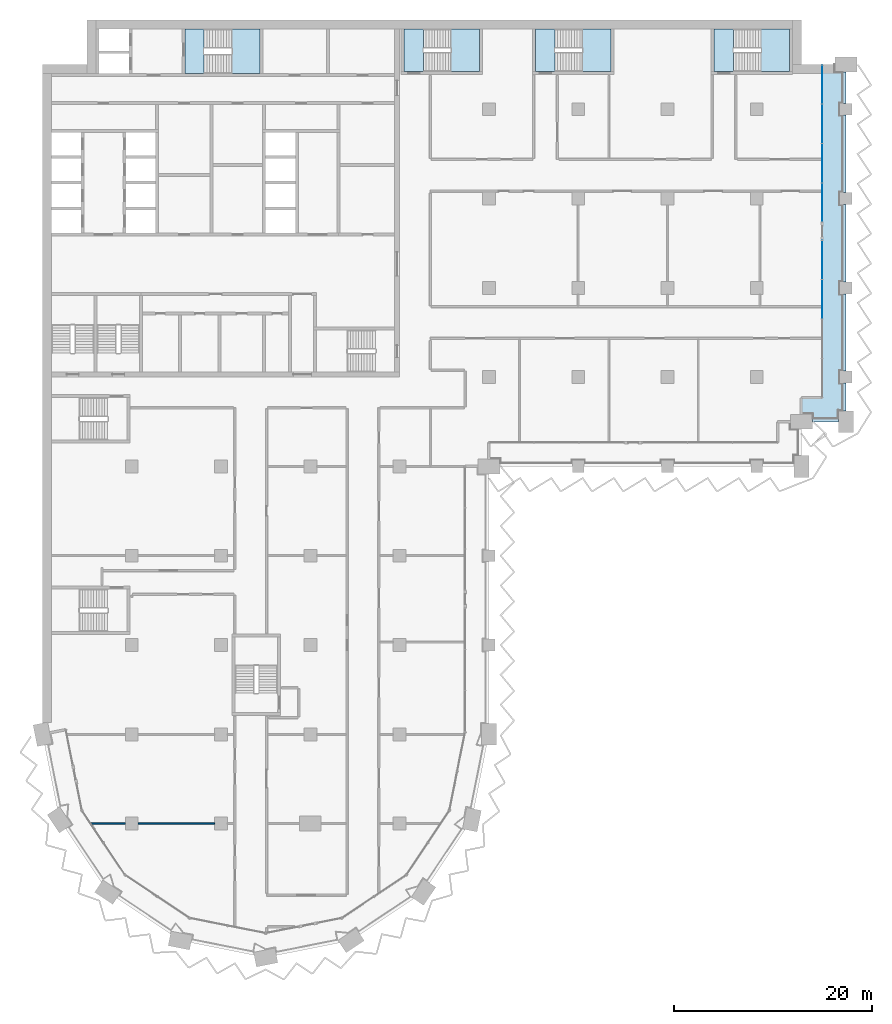
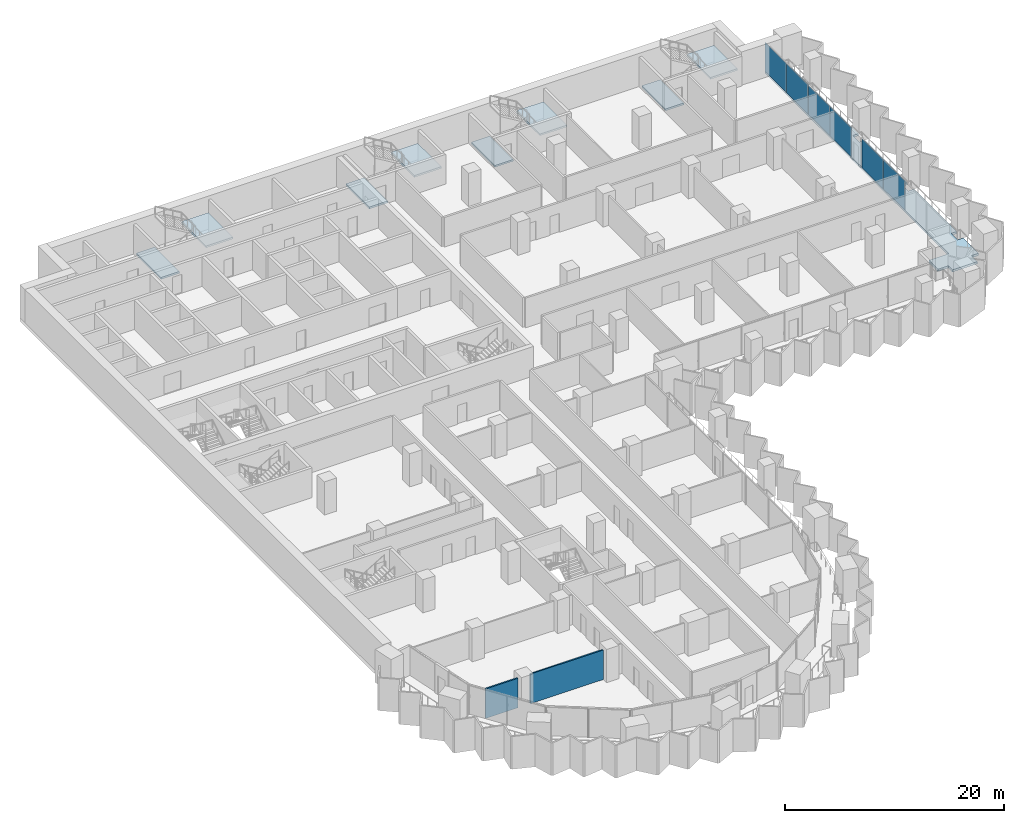
# One storey, part 8 of 22: 9 slabs, 6 plates, 2 walls, 6 elements without a shape of their own.
"""IFC4 building model written with IfcOpenShell, lengths in metres."""

from ifc_helpers import new_model, si_unit, direction, frame, frame_2d, origin, origin_2d, place, context, subcontext, project, spatial, polyline, rectangle, outline, extrude, material, layer, layer_set, type_object, element, aggregate, save


model = new_model("IFC4")

# Units and contexts
model_context = context("Model", 3, precision=1e-05, world=origin(), true_north=direction((0.0, 1.0)))
body_context = subcontext(model_context, "Body", "Model", "MODEL_VIEW")
ifc_project = project(units=[si_unit("LENGTHUNIT", "METRE"), si_unit("AREAUNIT", "SQUARE_METRE"), si_unit("VOLUMEUNIT", "CUBIC_METRE"), si_unit("PLANEANGLEUNIT", "RADIAN"), si_unit("MASSUNIT", "GRAM", prefix="KILO")], contexts=[model_context])

# Site, building, storey
site_placement = place(None, origin())
site = spatial("IfcSite", under=ifc_project, at=site_placement, CompositionType="ELEMENT")
building_placement = place(site_placement, origin())
building = spatial("IfcBuilding", under=site, at=building_placement, Name="Hunhe Ridgeline Campus", CompositionType="ELEMENT")
storey_placement = place(building_placement, frame((0.0, 0.0, 84.800048828125)))
storey = spatial("IfcBuildingStorey", under=building, at=storey_placement, Name="L20", CompositionType="ELEMENT", Elevation=84.800048828125)

# Curtain wall, plates
ifc_material_1 = material(Name="Aluminium 6063", Category="aluminium")
curtain_wall_type = type_object("IfcCurtainWallType", Name="Curtain wall CW-1", PredefinedType="NOTDEFINED", material=ifc_material_1)
curtain_wall_1_placement = place(storey_placement, origin())
curtain_wall_1 = element("IfcCurtainWall", 1, at=curtain_wall_1_placement, inside=storey, type_object=curtain_wall_type, Name="Curtain wall 15", PredefinedType="NOTDEFINED")
ifc_material_2 = material(Name="Low-e laminated glass", Category="glass")
ifc_layer_1 = layer(ifc_material_2, 0.028076171875)
ifc_layer_set_1 = layer_set([ifc_layer_1], Name="Curtain wall glass panel 28 low-e laminated")
plate_type = type_object("IfcPlateType", Name="Curtain wall glass panel 28 low-e laminated", PredefinedType="CURTAIN_PANEL", material=ifc_layer_set_1)
plate_1_placement = place(storey_placement, frame((78.59912109375, 70.838134765625, 0.0), z_axis=(0.0, 0.0, 1.0), x_axis=(0.0, 1.0, 0.0)))
plate_1 = element("IfcPlate", 2, at=plate_1_placement, type_object=plate_type, Name="CW-1 panel 3", PredefinedType="CURTAIN_PANEL", context=body_context, shape_type="SweptSolid", body=[
    extrude(rectangle(XDim=3.914794921875, YDim=0.028076171875, at=origin_2d()), origin(), (0.0, 0.0, 1.0), 3.239990234375),
])
plate_2_placement = place(storey_placement, frame((78.59912109375, 74.798095703125, 0.0), z_axis=(0.0, 0.0, 1.0), x_axis=(0.0, 1.0, 0.0)))
plate_2 = element("IfcPlate", 3, at=plate_2_placement, type_object=plate_type, Name="CW-1 panel 4", PredefinedType="CURTAIN_PANEL", context=body_context, shape_type="SweptSolid", body=[
    extrude(rectangle(XDim=3.884765625, YDim=0.028076171875, at=origin_2d()), origin(), (0.0, 0.0, 1.0), 3.239990234375),
])
aggregate(curtain_wall_1, [plate_1, plate_2])

curtain_wall_2_placement = place(storey_placement, origin())
curtain_wall_2 = element("IfcCurtainWall", 4, at=curtain_wall_2_placement, inside=storey, type_object=curtain_wall_type, Name="Curtain wall 16", PredefinedType="NOTDEFINED")
plate_3_placement = place(storey_placement, frame((78.59912109375, 80.60302734375, 0.0), z_axis=(0.0, 0.0, 1.0), x_axis=(0.0, 1.0, 0.0)))
plate_3 = element("IfcPlate", 5, at=plate_3_placement, type_object=plate_type, Name="CW-1 panel 1", PredefinedType="CURTAIN_PANEL", context=body_context, shape_type="SweptSolid", body=[
    extrude(rectangle(XDim=3.884765625, YDim=0.028076171875, at=origin_2d()), origin(), (0.0, 0.0, 1.0), 3.239990234375),
])
plate_4_placement = place(storey_placement, frame((78.59912109375, 84.562744140625, 0.0), z_axis=(0.0, 0.0, 1.0), x_axis=(0.0, 1.0, 0.0)))
plate_4 = element("IfcPlate", 6, at=plate_4_placement, type_object=plate_type, Name="CW-1 panel 2", PredefinedType="CURTAIN_PANEL", context=body_context, shape_type="SweptSolid", body=[
    extrude(rectangle(XDim=3.914794921875, YDim=0.028076171875, at=origin_2d()), origin(), (0.0, 0.0, 1.0), 3.239990234375),
])
plate_5_placement = place(storey_placement, frame((78.59912109375, 88.53759765625, 0.0), z_axis=(0.0, 0.0, 1.0), x_axis=(0.0, 1.0, 0.0)))
plate_5 = element("IfcPlate", 7, at=plate_5_placement, type_object=plate_type, Name="CW-1 panel 3", PredefinedType="CURTAIN_PANEL", context=body_context, shape_type="SweptSolid", body=[
    extrude(rectangle(XDim=3.914794921875, YDim=0.028076171875, at=origin_2d()), origin(), (0.0, 0.0, 1.0), 3.239990234375),
])
plate_6_placement = place(storey_placement, frame((78.59912109375, 92.49755859375, 0.0), z_axis=(0.0, 0.0, 1.0), x_axis=(0.0, 1.0, 0.0)))
plate_6 = element("IfcPlate", 8, at=plate_6_placement, type_object=plate_type, Name="CW-1 panel 4", PredefinedType="CURTAIN_PANEL", context=body_context, shape_type="SweptSolid", body=[
    extrude(rectangle(XDim=3.884765625, YDim=0.028076171875, at=origin_2d()), origin(), (0.0, 0.0, 1.0), 3.239990234375),
])
aggregate(curtain_wall_2, [plate_3, plate_4, plate_5, plate_6])

# Slab
ifc_material_3 = material(Name="Concrete C40", Category="concrete")
ifc_layer_2 = layer(ifc_material_3, 0.25)
ifc_layer_set_2 = layer_set([ifc_layer_2], Name="Loggia slab 250 Concrete C40")
slab_type_1 = type_object("IfcSlabType", Name="Loggia slab 250 Concrete C40", PredefinedType="FLOOR", material=ifc_layer_set_2)
slab_1_placement = place(storey_placement, frame((0.0, 0.0, -0.25)))
element("IfcSlab", 9, at=slab_1_placement, inside=storey, type_object=slab_type_1, Name="Loggia slab 3", PredefinedType="FLOOR", context=body_context, shape_type="SweptSolid", body=[
    extrude(outline(polyline([(76.5, 59.25), (77.60009765625, 59.25), (77.60009765625, 58.5), (80.25, 58.5), (80.25, 59.60009765625), (81.0, 59.60009765625), (81.0, 62.39990234375), (80.39990234375, 62.39990234375), (80.39990234375, 63.60009765625), (81.0, 63.60009765625), (81.0, 71.39990234375), (80.39990234375, 71.39990234375), (80.39990234375, 72.60009765625), (81.0, 72.60009765625), (81.0, 80.39990234375), (80.39990234375, 80.39990234375), (80.39990234375, 81.60009765625), (81.0, 81.60009765625), (81.0, 89.39990234375), (80.39990234375, 89.39990234375), (80.39990234375, 90.60009765625), (81.0, 90.60009765625), (81.0, 93.75), (79.89990234375, 93.75), (79.89990234375, 94.5), (78.60009765625, 94.5), (78.60009765625, 60.89990234375), (76.5, 60.89990234375), (76.5, 59.25)])), origin(), (0.0, 0.0, 1.0), 0.25),
])

# Stair, slab
stair_type = type_object("IfcStairType", Name="Reinforced concrete dog-leg stair 1950 Concrete C40", PredefinedType="HALF_TURN_STAIR", material=ifc_material_3)
stair_1_placement = place(storey_placement, origin())
stair_1 = element("IfcStair", 10, at=stair_1_placement, inside=storey, type_object=stair_type, Name="L20 S1", PredefinedType="HALF_TURN_STAIR")
ifc_layer_3 = layer(ifc_material_3, 0.199951171875)
ifc_layer_set_3 = layer_set([ifc_layer_3], Name="Reinforced concrete stair landing 200 Concrete C40")
slab_type_2 = type_object("IfcSlabType", Name="Reinforced concrete stair landing 200 Concrete C40", PredefinedType="LANDING", material=ifc_layer_set_3)
slab_2_placement = place(storey_placement, frame((0.0, 0.0, 1.64990234375)))
slab_2 = element("IfcSlab", 11, at=slab_2_placement, type_object=slab_type_2, Name="ST1 landing 1", PredefinedType="LANDING", context=body_context, shape_type="SweptSolid", body=[
    extrude(outline(polyline([(19.10009765625, 93.60009765625), (21.949951171875, 93.60009765625), (21.949951171875, 98.10009765625), (19.10009765625, 98.10009765625), (19.10009765625, 93.60009765625)])), origin(), (0.0, 0.0, 1.0), 0.199951171875),
])
aggregate(stair_1, [slab_2])

# Slab
slab_3_placement = place(storey_placement, frame((0.0, 0.0, -0.199951171875)))
element("IfcSlab", 12, at=slab_3_placement, inside=storey, type_object=slab_type_2, Name="L20 stair S1 floor landing", PredefinedType="LANDING", context=body_context, shape_type="SweptSolid", body=[
    extrude(outline(polyline([(14.35009765625, 93.60009765625), (16.300048828125, 93.60009765625), (16.300048828125, 98.10009765625), (14.35009765625, 98.10009765625), (14.35009765625, 93.60009765625)])), origin(), (0.0, 0.0, 1.0), 0.199951171875),
])

# Stair, slab
stair_2_placement = place(storey_placement, origin())
stair_2 = element("IfcStair", 13, at=stair_2_placement, inside=storey, type_object=stair_type, Name="L20 E1", PredefinedType="HALF_TURN_STAIR")
slab_4_placement = place(storey_placement, frame((0.0, 0.0, 1.64990234375)))
slab_4 = element("IfcSlab", 14, at=slab_4_placement, type_object=slab_type_2, Name="ST5 landing 1", PredefinedType="LANDING", context=body_context, shape_type="SweptSolid", body=[
    extrude(outline(polyline([(41.199951171875, 93.800048828125), (44.050048828125, 93.800048828125), (44.050048828125, 98.10009765625), (41.199951171875, 98.10009765625), (41.199951171875, 93.800048828125)])), origin(), (0.0, 0.0, 1.0), 0.199951171875),
])
aggregate(stair_2, [slab_4])

# Slab
slab_5_placement = place(storey_placement, frame((0.0, 0.0, -0.199951171875)))
element("IfcSlab", 15, at=slab_5_placement, inside=storey, type_object=slab_type_2, Name="L20 stair E1 floor landing", PredefinedType="LANDING", context=body_context, shape_type="SweptSolid", body=[
    extrude(outline(polyline([(36.449951171875, 93.800048828125), (38.39990234375, 93.800048828125), (38.39990234375, 98.10009765625), (36.449951171875, 98.10009765625), (36.449951171875, 93.800048828125)])), origin(), (0.0, 0.0, 1.0), 0.199951171875),
])

# Stair, slab
stair_3_placement = place(storey_placement, origin())
stair_3 = element("IfcStair", 16, at=stair_3_placement, inside=storey, type_object=stair_type, Name="L20 E2", PredefinedType="HALF_TURN_STAIR")
slab_6_placement = place(storey_placement, frame((0.0, 0.0, 1.64990234375)))
slab_6 = element("IfcSlab", 17, at=slab_6_placement, type_object=slab_type_2, Name="ST6 landing 1", PredefinedType="LANDING", context=body_context, shape_type="SweptSolid", body=[
    extrude(outline(polyline([(54.449951171875, 93.800048828125), (57.300048828125, 93.800048828125), (57.300048828125, 98.10009765625), (54.449951171875, 98.10009765625), (54.449951171875, 93.800048828125)])), origin(), (0.0, 0.0, 1.0), 0.199951171875),
])
aggregate(stair_3, [slab_6])

# Slab
slab_7_placement = place(storey_placement, frame((0.0, 0.0, -0.199951171875)))
element("IfcSlab", 18, at=slab_7_placement, inside=storey, type_object=slab_type_2, Name="L20 stair E2 floor landing", PredefinedType="LANDING", context=body_context, shape_type="SweptSolid", body=[
    extrude(outline(polyline([(49.699951171875, 93.800048828125), (51.64990234375, 93.800048828125), (51.64990234375, 98.10009765625), (49.699951171875, 98.10009765625), (49.699951171875, 93.800048828125)])), origin(), (0.0, 0.0, 1.0), 0.199951171875),
])

# Stair, slab
stair_4_placement = place(storey_placement, origin())
stair_4 = element("IfcStair", 19, at=stair_4_placement, inside=storey, type_object=stair_type, Name="L20 E3", PredefinedType="HALF_TURN_STAIR")
slab_8_placement = place(storey_placement, frame((0.0, 0.0, 1.64990234375)))
slab_8 = element("IfcSlab", 20, at=slab_8_placement, type_object=slab_type_2, Name="ST7 landing 1", PredefinedType="LANDING", context=body_context, shape_type="SweptSolid", body=[
    extrude(outline(polyline([(72.449951171875, 93.800048828125), (75.300048828125, 93.800048828125), (75.300048828125, 98.10009765625), (72.449951171875, 98.10009765625), (72.449951171875, 93.800048828125)])), origin(), (0.0, 0.0, 1.0), 0.199951171875),
])
aggregate(stair_4, [slab_8])

# Slab
slab_9_placement = place(storey_placement, frame((0.0, 0.0, -0.199951171875)))
element("IfcSlab", 21, at=slab_9_placement, inside=storey, type_object=slab_type_2, Name="L20 stair E3 floor landing", PredefinedType="LANDING", context=body_context, shape_type="SweptSolid", body=[
    extrude(outline(polyline([(67.699951171875, 93.800048828125), (69.64990234375, 93.800048828125), (69.64990234375, 98.10009765625), (67.699951171875, 98.10009765625), (67.699951171875, 93.800048828125)])), origin(), (0.0, 0.0, 1.0), 0.199951171875),
])

# Walls
ifc_material_4 = material(Name="Gypsum board partition")
ifc_layer_4 = layer(ifc_material_4, 0.14990234375)
ifc_layer_set_4 = layer_set([ifc_layer_4], Name="Room partition 150 gypsum board on steel studs")
wall_type = type_object("IfcWallType", Name="Room partition 150 gypsum board on steel studs", PredefinedType="PARTITIONING", material=ifc_layer_set_4)
wall_1_placement = place(storey_placement, frame((4.925537109375, 18.0, 0.0), z_axis=(0.0, 0.0, 1.0), x_axis=(1.0, 0.0, 0.0)))
element("IfcWall", 22, at=wall_1_placement, inside=storey, type_object=wall_type, Name="F-L20-wall-003", PredefinedType="PARTITIONING", context=body_context, shape_type="SweptSolid", body=[
    extrude(rectangle(XDim=3.424560546875, YDim=0.14990234375, at=frame_2d((1.71240234375, 0.0))), origin(), (0.0, 0.0, 1.0), 3.300048828125),
])
wall_2_placement = place(storey_placement, frame((9.64990234375, 18.0, 0.0), z_axis=(0.0, 0.0, 1.0), x_axis=(1.0, 0.0, 0.0)))
element("IfcWall", 23, at=wall_2_placement, inside=storey, type_object=wall_type, Name="F-L20-wall-004", PredefinedType="PARTITIONING", context=body_context, shape_type="SweptSolid", body=[
    extrude(rectangle(XDim=7.7001953125, YDim=0.14990234375, at=frame_2d((3.85009765625, 0.0))), origin(), (0.0, 0.0, 1.0), 3.300048828125),
])

save(model, "model.ifc")
